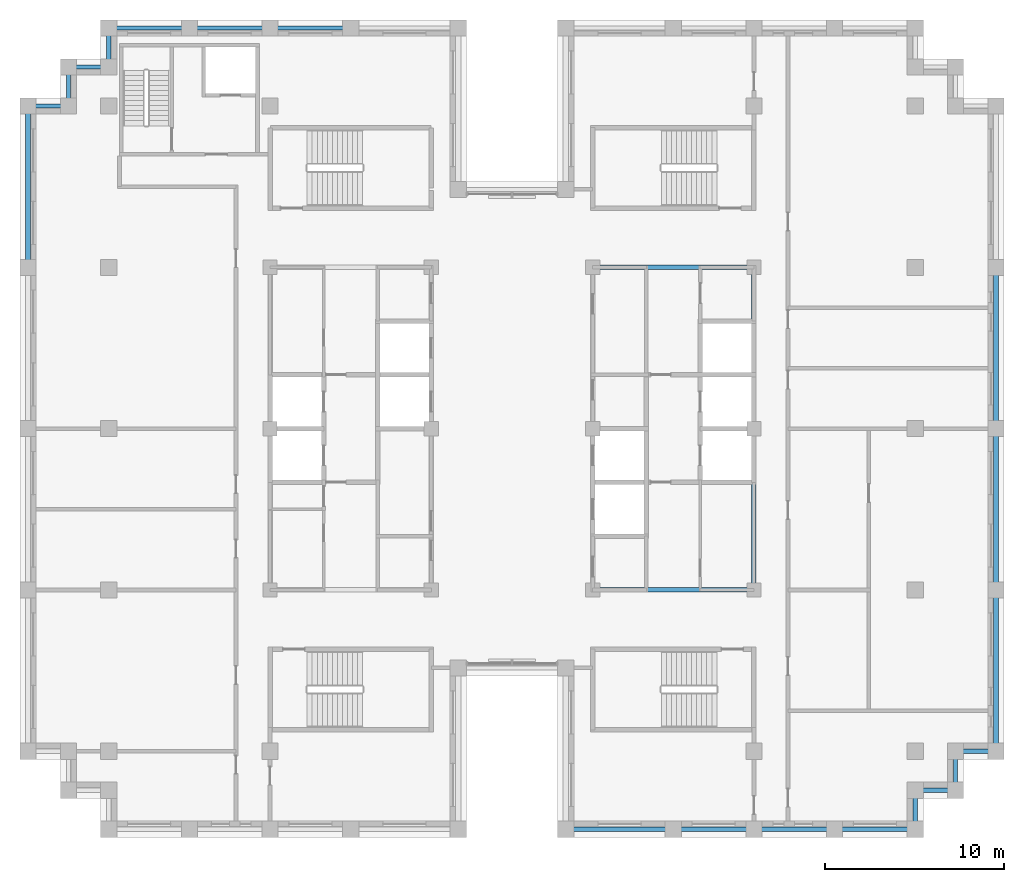
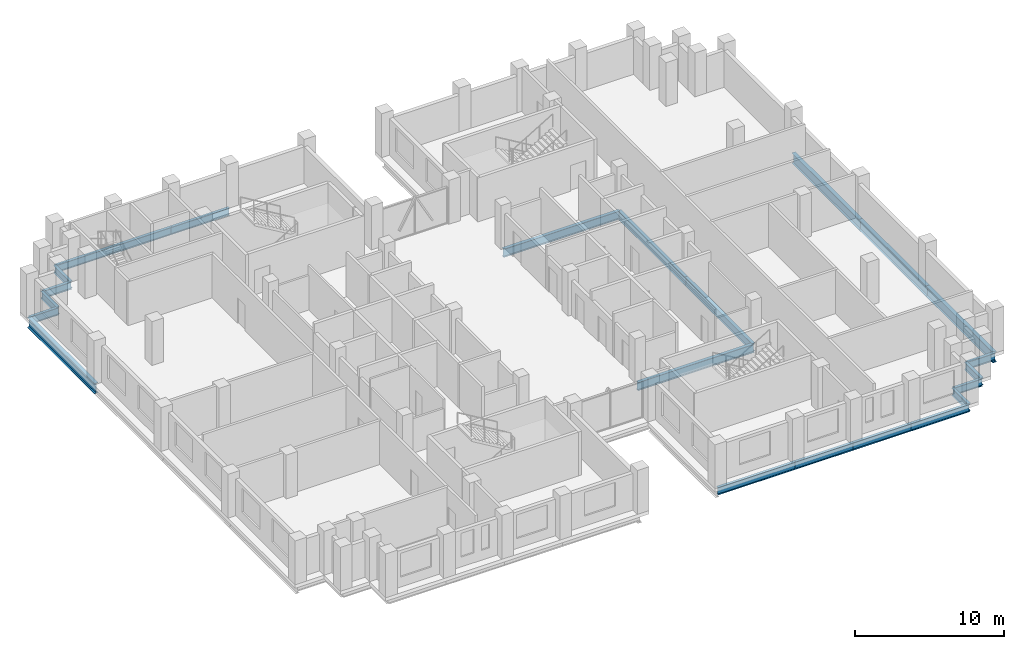
# One storey, part 3 of 13: 23 beams.
"""IFC4 building model written with IfcOpenShell, lengths in metres."""

from ifc_helpers import new_model, si_unit, direction, frame, origin, origin_2d, place, context, subcontext, project, spatial, i_section, extrude, material, material_profile, profile_set, type_object, element, save


model = new_model("IFC4")

# Units and contexts
model_context = context("Model", 3, precision=1e-05, world=origin(), true_north=direction((0.0, 1.0)))
body_context = subcontext(model_context, "Body", "Model", "MODEL_VIEW")
ifc_project = project(units=[si_unit("LENGTHUNIT", "METRE"), si_unit("AREAUNIT", "SQUARE_METRE"), si_unit("VOLUMEUNIT", "CUBIC_METRE"), si_unit("PLANEANGLEUNIT", "RADIAN"), si_unit("MASSUNIT", "GRAM", prefix="KILO")], contexts=[model_context])

# Site, building, storey
site_placement = place(None, origin())
site = spatial("IfcSite", under=ifc_project, at=site_placement, CompositionType="ELEMENT")
building_placement = place(site_placement, origin())
building = spatial("IfcBuilding", under=site, at=building_placement, Name="Corbelhall Arena Tower", CompositionType="ELEMENT")
storey_placement = place(building_placement, frame((0.0, 0.0, 290.0)))
storey = spatial("IfcBuildingStorey", under=building, at=storey_placement, Name="L63", CompositionType="ELEMENT", Elevation=290.0)

# Beams
ifc_material = material(Name="Steel ASTM A992 Gr50", Category="steel")
ifc_material_profile_1 = material_profile(ifc_material, i_section(OverallWidth=0.25390625, OverallDepth=0.67822265625, WebThickness=0.01171875, FlangeThickness=0.016357421875, at=origin_2d()))
ifc_profile_set_1 = profile_set([ifc_material_profile_1], Name="Steel ASTM A992 Gr50")
beam_type_1 = type_object("IfcBeamType", Name="ST-BEAM-W27x84", PredefinedType="BEAM", material=ifc_profile_set_1)
for number, where, z_axis, x_axis, name in (
    (1, (13.5, -9.0, -0.619140625), (0.0, 1.0, 0.0), (-1.0, 0.0, 0.0), "Beam CEE 9"),
    (2, (13.5, 0.0, -0.619140625), (0.0, 1.0, 0.0), (-1.0, 0.0, 0.0), "Beam CEE 10"),
    (3, (4.5, -9.0, -0.619140625), (1.0, 0.0, 0.0), (0.0, 1.0, 0.0), "Beam CEE 11"),
    (4, (4.5, 9.0, -0.619140625), (1.0, 0.0, 0.0), (0.0, 1.0, 0.0), "Beam CEE 12"),
):
    element("IfcBeam", number, at=place(storey_placement, frame(where, z_axis=z_axis, x_axis=x_axis)), inside=storey, type_object=beam_type_1, Name=name, PredefinedType="BEAM", context=body_context, shape_type="SweptSolid", body=[
        extrude(i_section(OverallWidth=0.25390625, OverallDepth=0.67822265625, WebThickness=0.01171875, FlangeThickness=0.016357421875, at=origin_2d()), origin(), (0.0, 0.0, 1.0), 9.0),
    ])
ifc_material_profile_2 = material_profile(ifc_material, i_section(OverallWidth=0.227783203125, OverallDepth=0.60205078125, WebThickness=0.010498046875, FlangeThickness=0.014892578125, at=origin_2d()))
ifc_profile_set_2 = profile_set([ifc_material_profile_2], Name="Steel ASTM A992 Gr50")
beam_type_2 = type_object("IfcBeamType", Name="ST-SPANDREL-W24x68", PredefinedType="SPANDREL", material=ifc_profile_set_2)
beam_1_placement = place(storey_placement, frame((27.0, -18.0, -0.5810546875), z_axis=(-1.0, 0.0, 0.0), x_axis=(0.0, -1.0, 0.0)))
element("IfcBeam", 5, at=beam_1_placement, inside=storey, type_object=beam_type_2, Name="Beam SP 5", PredefinedType="SPANDREL", context=body_context, shape_type="SweptSolid", body=[
    extrude(i_section(OverallWidth=0.227783203125, OverallDepth=0.60205078125, WebThickness=0.010498046875, FlangeThickness=0.014892578125, at=origin_2d()), origin(), (0.0, 0.0, 1.0), 2.25),
])
for number, where, z_axis, x_axis, name in (
    (6, (-13.5, 22.35009765625, -0.5810546875), (1.0, 0.0, 0.0), (0.0, 1.0, 0.0), "Beam SP 13"),
    (7, (-18.0, 22.35009765625, -0.5810546875), (1.0, 0.0, 0.0), (0.0, 1.0, 0.0), "Beam SP 14"),
    (8, (-22.5, 22.35009765625, -0.5810546875), (1.0, 0.0, 0.0), (0.0, 1.0, 0.0), "Beam SP 15"),
):
    element("IfcBeam", number, at=place(storey_placement, frame(where, z_axis=z_axis, x_axis=x_axis)), inside=storey, type_object=beam_type_2, Name=name, PredefinedType="SPANDREL", context=body_context, shape_type="SweptSolid", body=[
        extrude(i_section(OverallWidth=0.227783203125, OverallDepth=0.60205078125, WebThickness=0.010498046875, FlangeThickness=0.014892578125, at=origin_2d()), origin(), (0.0, 0.0, 1.0), 4.5),
    ])
beam_2_placement = place(storey_placement, frame((9.0, -22.35009765625, -0.5810546875), z_axis=(-1.0, 0.0, 0.0), x_axis=(0.0, -1.0, 0.0)))
element("IfcBeam", 9, at=beam_2_placement, inside=storey, type_object=beam_type_2, Name="Beam SP 17", PredefinedType="SPANDREL", context=body_context, shape_type="SweptSolid", body=[
    extrude(i_section(OverallWidth=0.227783203125, OverallDepth=0.60205078125, WebThickness=0.010498046875, FlangeThickness=0.014892578125, at=origin_2d()), origin(), (0.0, 0.0, 1.0), 6.0),
])
for number, where, z_axis, x_axis, name in (
    (10, (13.5, -22.35009765625, -0.5810546875), (-1.0, 0.0, 0.0), (0.0, -1.0, 0.0), "Beam SP 18"),
    (11, (18.0, -22.35009765625, -0.5810546875), (-1.0, 0.0, 0.0), (0.0, -1.0, 0.0), "Beam SP 19"),
    (12, (22.5, -22.35009765625, -0.5810546875), (-1.0, 0.0, 0.0), (0.0, -1.0, 0.0), "Beam SP 20"),
):
    element("IfcBeam", number, at=place(storey_placement, frame(where, z_axis=z_axis, x_axis=x_axis)), inside=storey, type_object=beam_type_2, Name=name, PredefinedType="SPANDREL", context=body_context, shape_type="SweptSolid", body=[
        extrude(i_section(OverallWidth=0.227783203125, OverallDepth=0.60205078125, WebThickness=0.010498046875, FlangeThickness=0.014892578125, at=origin_2d()), origin(), (0.0, 0.0, 1.0), 4.5),
    ])
beam_3_placement = place(storey_placement, frame((-27.0, 18.0, -0.5810546875), z_axis=(1.0, 0.0, 0.0), x_axis=(0.0, 1.0, 0.0)))
element("IfcBeam", 13, at=beam_3_placement, inside=storey, type_object=beam_type_2, Name="Beam SP 28", PredefinedType="SPANDREL", context=body_context, shape_type="SweptSolid", body=[
    extrude(i_section(OverallWidth=0.227783203125, OverallDepth=0.60205078125, WebThickness=0.010498046875, FlangeThickness=0.014892578125, at=origin_2d()), origin(), (0.0, 0.0, 1.0), 2.25),
])
beam_4_placement = place(storey_placement, frame((-22.5, 20.175048828125, -0.5810546875), z_axis=(0.0, 1.0, 0.0), x_axis=(-1.0, 0.0, 0.0)))
element("IfcBeam", 14, at=beam_4_placement, inside=storey, type_object=beam_type_2, Name="Beam SP 38", PredefinedType="SPANDREL", context=body_context, shape_type="SweptSolid", body=[
    extrude(i_section(OverallWidth=0.227783203125, OverallDepth=0.60205078125, WebThickness=0.010498046875, FlangeThickness=0.014892578125, at=origin_2d()), origin(), (0.0, 0.0, 1.0), 2.175048828125),
])
beam_5_placement = place(storey_placement, frame((-24.75, 20.175048828125, -0.5810546875), z_axis=(1.0, 0.0, 0.0), x_axis=(0.0, 1.0, 0.0)))
element("IfcBeam", 15, at=beam_5_placement, inside=storey, type_object=beam_type_2, Name="Beam SP 39", PredefinedType="SPANDREL", context=body_context, shape_type="SweptSolid", body=[
    extrude(i_section(OverallWidth=0.227783203125, OverallDepth=0.60205078125, WebThickness=0.010498046875, FlangeThickness=0.014892578125, at=origin_2d()), origin(), (0.0, 0.0, 1.0), 2.25),
])
for number, where, z_axis, x_axis, name in (
    (16, (-24.75, 18.0, -0.5810546875), (0.0, 1.0, 0.0), (-1.0, 0.0, 0.0), "Beam SP 40"),
    (17, (22.5, -20.175048828125, -0.5810546875), (0.0, -1.0, 0.0), (1.0, 0.0, 0.0), "Beam SP 41"),
):
    element("IfcBeam", number, at=place(storey_placement, frame(where, z_axis=z_axis, x_axis=x_axis)), inside=storey, type_object=beam_type_2, Name=name, PredefinedType="SPANDREL", context=body_context, shape_type="SweptSolid", body=[
        extrude(i_section(OverallWidth=0.227783203125, OverallDepth=0.60205078125, WebThickness=0.010498046875, FlangeThickness=0.014892578125, at=origin_2d()), origin(), (0.0, 0.0, 1.0), 2.175048828125),
    ])
beam_6_placement = place(storey_placement, frame((24.75, -20.175048828125, -0.5810546875), z_axis=(-1.0, 0.0, 0.0), x_axis=(0.0, -1.0, 0.0)))
element("IfcBeam", 18, at=beam_6_placement, inside=storey, type_object=beam_type_2, Name="Beam SP 42", PredefinedType="SPANDREL", context=body_context, shape_type="SweptSolid", body=[
    extrude(i_section(OverallWidth=0.227783203125, OverallDepth=0.60205078125, WebThickness=0.010498046875, FlangeThickness=0.014892578125, at=origin_2d()), origin(), (0.0, 0.0, 1.0), 2.25),
])
beam_7_placement = place(storey_placement, frame((24.75, -18.0, -0.5810546875), z_axis=(0.0, -1.0, 0.0), x_axis=(1.0, 0.0, 0.0)))
element("IfcBeam", 19, at=beam_7_placement, inside=storey, type_object=beam_type_2, Name="Beam SP 43", PredefinedType="SPANDREL", context=body_context, shape_type="SweptSolid", body=[
    extrude(i_section(OverallWidth=0.227783203125, OverallDepth=0.60205078125, WebThickness=0.010498046875, FlangeThickness=0.014892578125, at=origin_2d()), origin(), (0.0, 0.0, 1.0), 2.175048828125),
])
ifc_material_profile_3 = material_profile(ifc_material, i_section(OverallWidth=0.2919921875, OverallDepth=0.845703125, WebThickness=0.015380859375, FlangeThickness=0.0244140625, at=origin_2d()))
ifc_profile_set_3 = profile_set([ifc_material_profile_3], Name="Steel ASTM A992 Gr50")
beam_type_3 = type_object("IfcBeamType", Name="ST-SPANDREL-W33x141", PredefinedType="SPANDREL", material=ifc_profile_set_3)
for number, where, z_axis, x_axis, name in (
    (20, (27.0, 0.0, -0.702880859375), (0.0, -1.0, 0.0), (1.0, 0.0, 0.0), "Beam SP 1"),
    (21, (27.0, 9.0, -0.702880859375), (0.0, -1.0, 0.0), (1.0, 0.0, 0.0), "Beam SP 2"),
    (22, (27.0, -9.0, -0.702880859375), (0.0, -1.0, 0.0), (1.0, 0.0, 0.0), "Beam SP 4"),
    (23, (-27.0, 9.0, -0.702880859375), (0.0, 1.0, 0.0), (-1.0, 0.0, 0.0), "Beam SP 27"),
):
    element("IfcBeam", number, at=place(storey_placement, frame(where, z_axis=z_axis, x_axis=x_axis)), inside=storey, type_object=beam_type_3, Name=name, PredefinedType="SPANDREL", context=body_context, shape_type="SweptSolid", body=[
        extrude(i_section(OverallWidth=0.2919921875, OverallDepth=0.845703125, WebThickness=0.015380859375, FlangeThickness=0.0244140625, at=origin_2d()), origin(), (0.0, 0.0, 1.0), 9.0),
    ])

save(model, "model.ifc")
